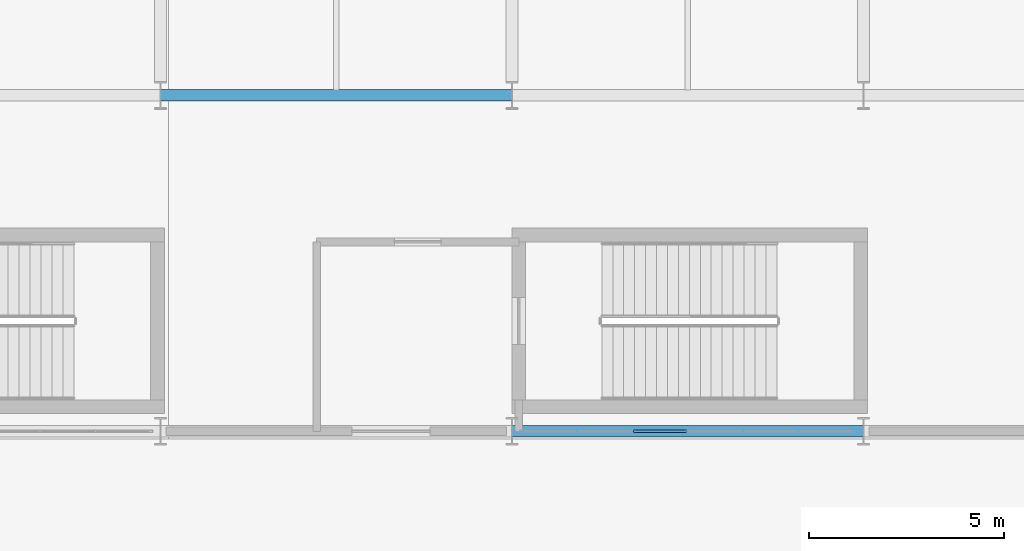
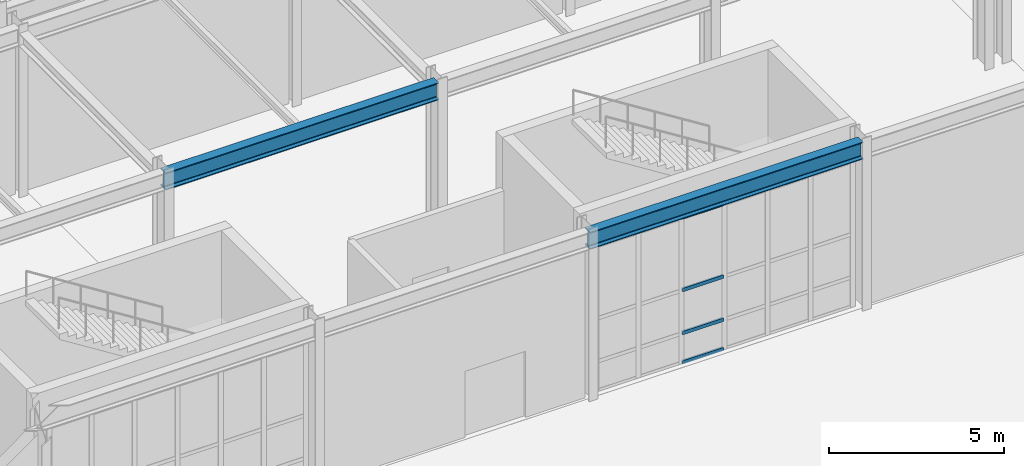
# One storey, part 65 of 146: 4 members, 2 beams, 1 element without a shape of its own.
"""IFC4 building model written with IfcOpenShell, lengths in metres."""

from ifc_helpers import new_model, si_unit, direction, frame, origin, origin_2d, place, context, subcontext, project, spatial, hollow_rectangle, i_section, extrude, material, material_profile, profile_set, type_object, element, aggregate, save


model = new_model("IFC4")

# Units and contexts
model_context = context("Model", 3, precision=1e-05, world=origin(), true_north=direction((0.0, 1.0)))
body_context = subcontext(model_context, "Body", "Model", "MODEL_VIEW")
ifc_project = project(units=[si_unit("LENGTHUNIT", "METRE"), si_unit("AREAUNIT", "SQUARE_METRE"), si_unit("VOLUMEUNIT", "CUBIC_METRE"), si_unit("PLANEANGLEUNIT", "RADIAN"), si_unit("MASSUNIT", "GRAM", prefix="KILO")], contexts=[model_context])

# Site, building, storey
site_placement = place(None, origin())
site = spatial("IfcSite", under=ifc_project, at=site_placement, CompositionType="ELEMENT")
building_placement = place(site_placement, origin())
building = spatial("IfcBuilding", under=site, at=building_placement, Name="Kaldris Quays Convention Centre", CompositionType="ELEMENT")
storey_placement = place(building_placement, origin())
storey = spatial("IfcBuildingStorey", under=building, at=storey_placement, Name="L00", CompositionType="ELEMENT", Elevation=0.0)

# Curtain wall, members
ifc_material_1 = material(Name="Anodized aluminium AW-6060 and triple glazing", Category="aluminium")
curtain_wall_type = type_object("IfcCurtainWallType", Name="UNITISED CURTAIN WALL CW04", PredefinedType="NOTDEFINED", material=ifc_material_1)
curtain_wall_placement = place(storey_placement, origin())
curtain_wall = element("IfcCurtainWall", 1, at=curtain_wall_placement, inside=storey, type_object=curtain_wall_type, Name="L00 Unitised Curtain Wall CW04 106", PredefinedType="NOTDEFINED")
ifc_material_2 = material(Name="Anodized aluminium AW-6060", Category="aluminium")
ifc_material_profile_1 = material_profile(ifc_material_2, hollow_rectangle(XDim=0.06005859375, YDim=0.1201171875, WallThickness=0.00390625, at=origin_2d()), Name="RHS 120x60x4")
ifc_profile_set_1 = profile_set([ifc_material_profile_1], Name="Anodized aluminium AW-6060")
member_type = type_object("IfcMemberType", Name="CURTAIN TRANSOM CWT1", PredefinedType="USERDEFINED", material=ifc_profile_set_1)
member_1_placement = place(storey_placement, frame((131.11328125, 38.0, 0.030029296875), z_axis=(1.0, 0.0, 0.0), x_axis=(0.0, 1.0, 0.0)))
member_1 = element("IfcMember", 2, at=member_1_placement, type_object=member_type, Name="CW04 transom 3.1", ObjectType="TRANSOM", PredefinedType="USERDEFINED", context=body_context, shape_type="SweptSolid", body=[
    extrude(hollow_rectangle(XDim=0.06005859375, YDim=0.1201171875, WallThickness=0.00390625, at=origin_2d()), origin(), (0.0, 0.0, 1.0), 1.356689453125),
])
member_2_placement = place(storey_placement, frame((131.11328125, 38.0, 1.050048828125), z_axis=(1.0, 0.0, 0.0), x_axis=(0.0, 1.0, 0.0)))
member_2 = element("IfcMember", 3, at=member_2_placement, type_object=member_type, Name="CW04 transom 3.2", ObjectType="TRANSOM", PredefinedType="USERDEFINED", context=body_context, shape_type="SweptSolid", body=[
    extrude(hollow_rectangle(XDim=0.06005859375, YDim=0.1201171875, WallThickness=0.00390625, at=origin_2d()), origin(), (0.0, 0.0, 1.0), 1.356689453125),
])
member_3_placement = place(storey_placement, frame((131.11328125, 38.0, 2.549072265625), z_axis=(1.0, 0.0, 0.0), x_axis=(0.0, 1.0, 0.0)))
member_3 = element("IfcMember", 4, at=member_3_placement, type_object=member_type, Name="CW04 transom 3.3", ObjectType="TRANSOM", PredefinedType="USERDEFINED", context=body_context, shape_type="SweptSolid", body=[
    extrude(hollow_rectangle(XDim=0.06005859375, YDim=0.1201171875, WallThickness=0.00390625, at=origin_2d()), origin(), (0.0, 0.0, 1.0), 1.356689453125),
])
member_4_placement = place(storey_placement, frame((131.11328125, 38.0, 5.068115234375), z_axis=(1.0, 0.0, 0.0), x_axis=(0.0, 1.0, 0.0)))
member_4 = element("IfcMember", 5, at=member_4_placement, type_object=member_type, Name="CW04 transom 3.4", ObjectType="TRANSOM", PredefinedType="USERDEFINED", context=body_context, shape_type="SweptSolid", body=[
    extrude(hollow_rectangle(XDim=0.06005859375, YDim=0.1201171875, WallThickness=0.00390625, at=origin_2d()), origin(), (0.0, 0.0, 1.0), 1.356689453125),
])
aggregate(curtain_wall, [member_1, member_2, member_3, member_4])

# Beams
ifc_material_3 = material(Name="Steel S355J2", Category="steel")
ifc_material_profile_2 = material_profile(ifc_material_3, i_section(OverallWidth=0.300048828125, OverallDepth=0.60009765625, WebThickness=0.015380859375, FlangeThickness=0.030029296875, FilletRadius=0.027099609375, at=origin_2d()), Name="HEB 600")
ifc_profile_set_2 = profile_set([ifc_material_profile_2], Name="Steel S355J2")
beam_type = type_object("IfcBeamType", Name="STRUCTURAL BEAM BM05", PredefinedType="BEAM", material=ifc_profile_set_2)
for number, where, z_axis, x_axis, name in (
    (6, (128.00244140625, 38.0, 5.423095703125), (1.0, 0.0, 0.0), (0.0, 1.0, 0.0), "L00 Girder BM05 6"),
    (7, (119.00244140625, 46.60009765625, 5.423095703125), (1.0, 0.0, 0.0), (0.0, 1.0, 0.0), "L00 Girder BM05 14"),
):
    element("IfcBeam", number, at=place(storey_placement, frame(where, z_axis=z_axis, x_axis=x_axis)), inside=storey, type_object=beam_type, Name=name, PredefinedType="BEAM", context=body_context, shape_type="SweptSolid", body=[
        extrude(i_section(OverallWidth=0.300048828125, OverallDepth=0.60009765625, WebThickness=0.015380859375, FlangeThickness=0.030029296875, FilletRadius=0.027099609375, at=origin_2d()), origin(), (0.0, 0.0, 1.0), 8.9951171875),
    ])

save(model, "model.ifc")
